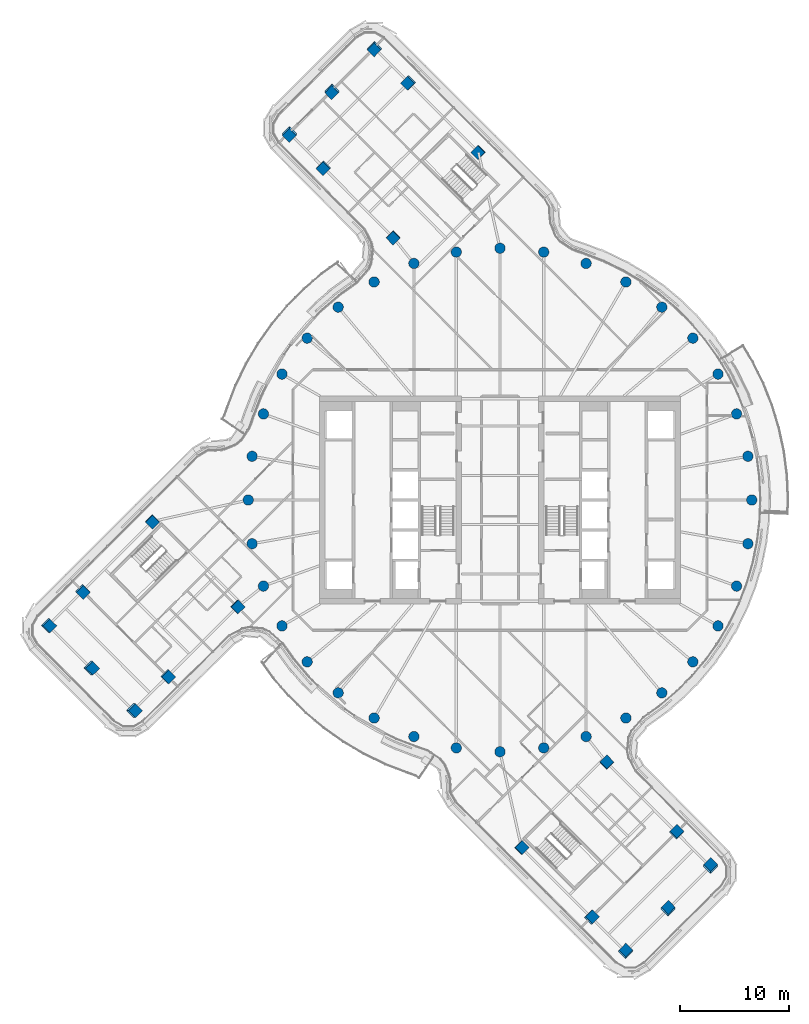
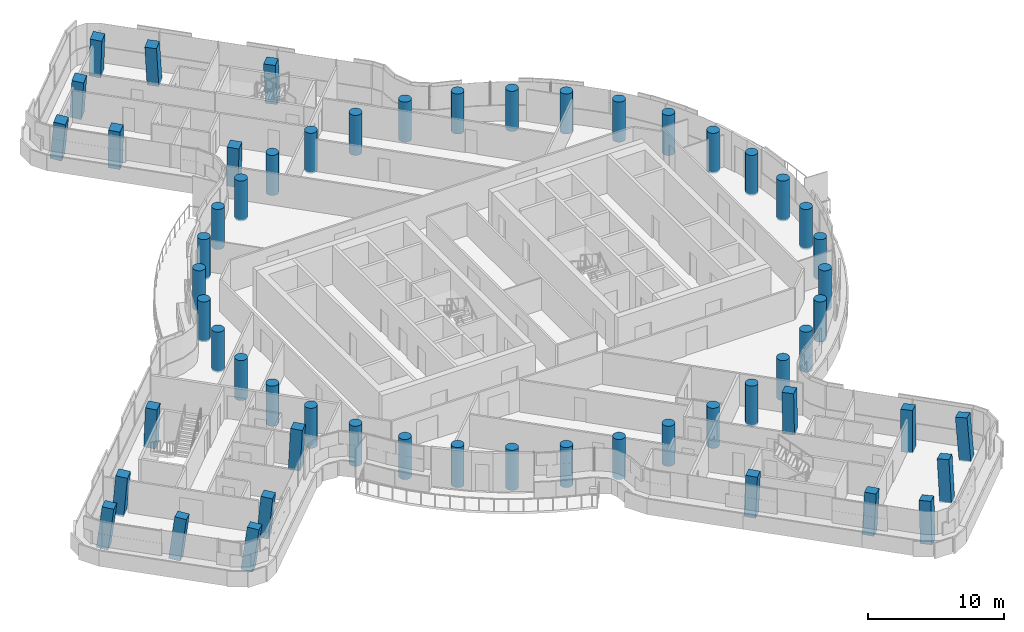
# One storey, part 1 of 31: 57 columns.
"""IFC4 building model written with IfcOpenShell, lengths in metres."""

from ifc_helpers import new_model, si_unit, direction, frame, origin, origin_2d, place, context, subcontext, project, spatial, rectangle, circle, extrude, material, material_profile, profile_set, type_object, element, save


model = new_model("IFC4")

# Units and contexts
model_context = context("Model", 3, precision=1e-05, world=origin(), true_north=direction((0.0, 1.0)))
body_context = subcontext(model_context, "Body", "Model", "MODEL_VIEW")
ifc_project = project(units=[si_unit("LENGTHUNIT", "METRE"), si_unit("AREAUNIT", "SQUARE_METRE"), si_unit("VOLUMEUNIT", "CUBIC_METRE"), si_unit("PLANEANGLEUNIT", "RADIAN"), si_unit("MASSUNIT", "GRAM", prefix="KILO")], contexts=[model_context])

# Site, building, storey
site_placement = place(None, origin())
site = spatial("IfcSite", under=ifc_project, at=site_placement, CompositionType="ELEMENT")
building_placement = place(site_placement, origin())
building = spatial("IfcBuilding", under=site, at=building_placement, Name="Tamarind Cross Interchange Tower", CompositionType="ELEMENT")
storey_placement = place(building_placement, frame((0.0, 0.0, 196.89990234375)))
storey = spatial("IfcBuildingStorey", under=building, at=storey_placement, Name="L49", CompositionType="ELEMENT", Elevation=196.89990234375)

# Columns
ifc_material = material(Name="Concrete C55", Category="concrete")
ifc_material_profile_1 = material_profile(ifc_material, rectangle(XDim=0.89990234375, YDim=0.89990234375, at=origin_2d()), Name="RC 900x900")
ifc_profile_set_1 = profile_set([ifc_material_profile_1], Name="Concrete C55")
column_type_1 = type_object("IfcColumnType", Name="Column RC 900x900 Concrete C55", PredefinedType="COLUMN", material=ifc_profile_set_1)
for number, where, z_axis, x_axis, name in (
    (1, (-16.111328125, 30.364501953125, -0.138427734375), (-0.041429721391, -0.081642909364, 0.995800187556), (0.70609506341, 0.702753082609, 0.086993484299), "Column L49-043"),
    (2, (-8.3232421875, 38.132568359375, -0.138427734375), (-0.080967132357, -0.042713879507, 0.995801108643), (0.705121777165, -0.70857432786, 0.026938843073), "Column L49-044"),
):
    element("IfcColumn", number, at=place(storey_placement, frame(where, z_axis=z_axis, x_axis=x_axis)), inside=storey, type_object=column_type_1, Name=name, PredefinedType="COLUMN", context=body_context, shape_type="SweptSolid", body=[
        extrude(rectangle(XDim=0.89990234375, YDim=0.89990234375, at=origin_2d()), origin(), (0.0, 0.0, 1.0), 3.6123046875),
    ])
for number, where, z_axis, x_axis, name in (
    (3, (-9.755615234375, 23.992431640625, -0.138671875), (-0.009624668379, -0.04947892899, 0.998728792688), (0.70765331906, 0.705324503584, 0.041762718624), "Column L49-045"),
    (4, (-1.967529296875, 31.760498046875, -0.138671875), (-0.049275718374, -0.010370268104, 0.998731375855), (0.705105731353, -0.708571401139, 0.027431316072), "Column L49-046"),
):
    element("IfcColumn", number, at=place(storey_placement, frame(where, z_axis=z_axis, x_axis=x_axis)), inside=storey, type_object=column_type_1, Name=name, PredefinedType="COLUMN", context=body_context, shape_type="SweptSolid", body=[
        extrude(rectangle(XDim=0.89990234375, YDim=0.89990234375, at=origin_2d()), origin(), (0.0, 0.0, 1.0), 3.60205078125),
    ])
column_1_placement = place(storey_placement, frame((-11.45263671875, 41.27001953125, -0.137939453125), z_axis=(-0.038213383849, -0.114640151548, 0.992671835476), x_axis=(0.705709602891, 0.700216403883, 0.108032143923)))
element("IfcColumn", 5, at=column_1_placement, inside=storey, type_object=column_type_1, Name="Column L49-047", PredefinedType="COLUMN", context=body_context, shape_type="SweptSolid", body=[
    extrude(rectangle(XDim=0.89990234375, YDim=0.89990234375, at=origin_2d()), origin(), (0.0, 0.0, 1.0), 3.62255859375),
])
column_2_placement = place(storey_placement, frame((-15.3466796875, 37.3857421875, -0.137939453125), z_axis=(-0.018499540391, -0.133802130322, 0.990835383364), x_axis=(0.706937625039, 0.69904359196, 0.107597634007)))
element("IfcColumn", 6, at=column_2_placement, inside=storey, type_object=column_type_1, Name="Column L49-048", PredefinedType="COLUMN", context=body_context, shape_type="SweptSolid", body=[
    extrude(rectangle(XDim=0.89990234375, YDim=0.89990234375, at=origin_2d()), origin(), (0.0, 0.0, 1.0), 3.629150390625),
])
column_3_placement = place(storey_placement, frame((-19.24072265625, 33.501708984375, -0.1376953125), z_axis=(0.001207811519, -0.15278815721, 0.988258225469), x_axis=(0.707837101998, 0.698212222874, 0.107080945386)))
element("IfcColumn", 7, at=column_3_placement, inside=storey, type_object=column_type_1, Name="Column L49-049", PredefinedType="COLUMN", context=body_context, shape_type="SweptSolid", body=[
    extrude(rectangle(XDim=0.89990234375, YDim=0.89990234375, at=origin_2d()), origin(), (0.0, 0.0, 1.0), 3.638427734375),
])
for number, where, z_axis, x_axis, name in (
    (8, (-30.364501953125, -16.111328125, -0.138427734375), (0.081642909364, -0.041429721391, 0.995800187556), (-0.702753082609, 0.70609506341, 0.086993484299), "Column L49-050"),
    (9, (-38.132568359375, -8.3232421875, -0.138427734375), (0.042713879507, -0.080967132357, 0.995801108643), (0.70857432786, 0.705121777165, 0.026938843073), "Column L49-051"),
):
    element("IfcColumn", number, at=place(storey_placement, frame(where, z_axis=z_axis, x_axis=x_axis)), inside=storey, type_object=column_type_1, Name=name, PredefinedType="COLUMN", context=body_context, shape_type="SweptSolid", body=[
        extrude(rectangle(XDim=0.89990234375, YDim=0.89990234375, at=origin_2d()), origin(), (0.0, 0.0, 1.0), 3.6123046875),
    ])
for number, where, z_axis, x_axis, name in (
    (10, (-23.992431640625, -9.755615234375, -0.138671875), (0.04947892899, -0.009624668379, 0.998728792688), (-0.705324503584, 0.70765331906, 0.041762718624), "Column L49-052"),
    (11, (-31.760498046875, -1.967529296875, -0.138671875), (0.010370268104, -0.049275718374, 0.998731375855), (0.708571401139, 0.705105731353, 0.027431316072), "Column L49-053"),
):
    element("IfcColumn", number, at=place(storey_placement, frame(where, z_axis=z_axis, x_axis=x_axis)), inside=storey, type_object=column_type_1, Name=name, PredefinedType="COLUMN", context=body_context, shape_type="SweptSolid", body=[
        extrude(rectangle(XDim=0.89990234375, YDim=0.89990234375, at=origin_2d()), origin(), (0.0, 0.0, 1.0), 3.60205078125),
    ])
column_4_placement = place(storey_placement, frame((-41.27001953125, -11.45263671875, -0.137939453125), z_axis=(0.114640151548, -0.038213383849, 0.992671835476), x_axis=(-0.700216403883, 0.705709602891, 0.108032143923)))
element("IfcColumn", 12, at=column_4_placement, inside=storey, type_object=column_type_1, Name="Column L49-054", PredefinedType="COLUMN", context=body_context, shape_type="SweptSolid", body=[
    extrude(rectangle(XDim=0.89990234375, YDim=0.89990234375, at=origin_2d()), origin(), (0.0, 0.0, 1.0), 3.62255859375),
])
column_5_placement = place(storey_placement, frame((-37.3857421875, -15.3466796875, -0.137939453125), z_axis=(0.133802130322, -0.018499540391, 0.990835383364), x_axis=(-0.69904359196, 0.706937625039, 0.107597634007)))
element("IfcColumn", 13, at=column_5_placement, inside=storey, type_object=column_type_1, Name="Column L49-055", PredefinedType="COLUMN", context=body_context, shape_type="SweptSolid", body=[
    extrude(rectangle(XDim=0.89990234375, YDim=0.89990234375, at=origin_2d()), origin(), (0.0, 0.0, 1.0), 3.629150390625),
])
column_6_placement = place(storey_placement, frame((-33.501708984375, -19.24072265625, -0.1376953125), z_axis=(0.15278815721, 0.001207811519, 0.988258225469), x_axis=(-0.698212222874, 0.707837101998, 0.107080945386)))
element("IfcColumn", 14, at=column_6_placement, inside=storey, type_object=column_type_1, Name="Column L49-056", PredefinedType="COLUMN", context=body_context, shape_type="SweptSolid", body=[
    extrude(rectangle(XDim=0.89990234375, YDim=0.89990234375, at=origin_2d()), origin(), (0.0, 0.0, 1.0), 3.638427734375),
])
for number, where, z_axis, x_axis, name in (
    (15, (16.111328125, -30.364501953125, -0.138427734375), (0.041429721391, 0.081642909364, 0.995800187556), (-0.70609506341, -0.702753082609, 0.086993484299), "Column L49-057"),
    (16, (8.3232421875, -38.132568359375, -0.138427734375), (0.080967132357, 0.042713879507, 0.995801108643), (-0.705121777165, 0.70857432786, 0.026938843073), "Column L49-058"),
):
    element("IfcColumn", number, at=place(storey_placement, frame(where, z_axis=z_axis, x_axis=x_axis)), inside=storey, type_object=column_type_1, Name=name, PredefinedType="COLUMN", context=body_context, shape_type="SweptSolid", body=[
        extrude(rectangle(XDim=0.89990234375, YDim=0.89990234375, at=origin_2d()), origin(), (0.0, 0.0, 1.0), 3.6123046875),
    ])
for number, where, z_axis, x_axis, name in (
    (17, (9.755615234375, -23.992431640625, -0.138671875), (0.009624668379, 0.04947892899, 0.998728792688), (-0.70765331906, -0.705324503584, 0.041762718624), "Column L49-059"),
    (18, (1.967529296875, -31.760498046875, -0.138671875), (0.049275718374, 0.010370268104, 0.998731375855), (-0.705105731353, 0.708571401139, 0.027431316072), "Column L49-060"),
):
    element("IfcColumn", number, at=place(storey_placement, frame(where, z_axis=z_axis, x_axis=x_axis)), inside=storey, type_object=column_type_1, Name=name, PredefinedType="COLUMN", context=body_context, shape_type="SweptSolid", body=[
        extrude(rectangle(XDim=0.89990234375, YDim=0.89990234375, at=origin_2d()), origin(), (0.0, 0.0, 1.0), 3.60205078125),
    ])
column_7_placement = place(storey_placement, frame((11.45263671875, -41.27001953125, -0.137939453125), z_axis=(0.038213383849, 0.114640151548, 0.992671835476), x_axis=(-0.705709602891, -0.700216403883, 0.108032143923)))
element("IfcColumn", 19, at=column_7_placement, inside=storey, type_object=column_type_1, Name="Column L49-061", PredefinedType="COLUMN", context=body_context, shape_type="SweptSolid", body=[
    extrude(rectangle(XDim=0.89990234375, YDim=0.89990234375, at=origin_2d()), origin(), (0.0, 0.0, 1.0), 3.62255859375),
])
column_8_placement = place(storey_placement, frame((15.3466796875, -37.3857421875, -0.137939453125), z_axis=(0.018499540391, 0.133802130322, 0.990835383364), x_axis=(-0.706937625039, -0.69904359196, 0.107597634007)))
element("IfcColumn", 20, at=column_8_placement, inside=storey, type_object=column_type_1, Name="Column L49-062", PredefinedType="COLUMN", context=body_context, shape_type="SweptSolid", body=[
    extrude(rectangle(XDim=0.89990234375, YDim=0.89990234375, at=origin_2d()), origin(), (0.0, 0.0, 1.0), 3.629150390625),
])
column_9_placement = place(storey_placement, frame((19.24072265625, -33.501708984375, -0.1376953125), z_axis=(-0.001207811519, 0.15278815721, 0.988258225469), x_axis=(-0.707837101998, -0.698212222874, 0.107080945386)))
element("IfcColumn", 21, at=column_9_placement, inside=storey, type_object=column_type_1, Name="Column L49-063", PredefinedType="COLUMN", context=body_context, shape_type="SweptSolid", body=[
    extrude(rectangle(XDim=0.89990234375, YDim=0.89990234375, at=origin_2d()), origin(), (0.0, 0.0, 1.0), 3.638427734375),
])
ifc_material_profile_2 = material_profile(ifc_material, circle(Radius=0.47509765625, at=origin_2d()), Name="RC D950")
ifc_profile_set_2 = profile_set([ifc_material_profile_2], Name="Concrete C55")
column_type_2 = type_object("IfcColumnType", Name="Column RC D950 Concrete C55", PredefinedType="COLUMN", material=ifc_profile_set_2)
for number, where, z_axis, x_axis, name in (
    (22, (23.0, 0.0, -0.139892578125), (0.0, 0.0, 1.0), (1.0, 0.0, 0.0), "Column L49-000"),
    (23, (22.650634765625, 3.993896484375, -0.139892578125), (0.0, 0.0, 1.0), (1.0, 0.0, 0.0), "Column L49-001"),
    (24, (21.613037109375, 7.866455078125, -0.139892578125), (0.0, 0.0, 1.0), (1.0, 0.0, 0.0), "Column L49-002"),
    (25, (19.918701171875, 11.5, -0.139892578125), (0.0, 0.0, 1.0), (1.0, 0.0, 0.0), "Column L49-003"),
    (26, (17.619140625, 14.7841796875, -0.139892578125), (0.0, 0.0, 1.0), (1.0, 0.0, 0.0), "Column L49-004"),
    (27, (14.7841796875, 17.619140625, -0.139892578125), (0.0, 0.0, 1.0), (1.0, 0.0, 0.0), "Column L49-005"),
    (28, (11.5, 19.918701171875, -0.139892578125), (0.0, 0.0, 1.0), (1.0, 0.0, 0.0), "Column L49-006"),
    (29, (7.866455078125, 21.613037109375, -0.139892578125), (0.0, 0.0, 1.0), (1.0, 0.0, 0.0), "Column L49-007"),
    (30, (3.993896484375, 22.650634765625, -0.139892578125), (0.0, 0.0, 1.0), (1.0, 0.0, 0.0), "Column L49-008"),
    (31, (0.0, 23.0, -0.139892578125), (0.0, 0.0, 1.0), (1.0, 0.0, 0.0), "Column L49-009"),
    (32, (-3.993896484375, 22.650634765625, -0.139892578125), (0.0, 0.0, 1.0), (1.0, 0.0, 0.0), "Column L49-010"),
    (33, (-7.866455078125, 21.613037109375, -0.139892578125), (0.0, 0.0, 1.0), (1.0, 0.0, 0.0), "Column L49-011"),
    (34, (-11.5, 19.918701171875, -0.139892578125), (0.0, 0.0, 1.0), (1.0, 0.0, 0.0), "Column L49-012"),
    (35, (-14.7841796875, 17.619140625, -0.139892578125), (0.0, 0.0, 1.0), (1.0, 0.0, 0.0), "Column L49-013"),
    (36, (-17.619140625, 14.7841796875, -0.139892578125), (0.0, 0.0, 1.0), (1.0, 0.0, 0.0), "Column L49-014"),
    (37, (-19.918701171875, 11.5, -0.139892578125), (0.0, 0.0, 1.0), (1.0, 0.0, 0.0), "Column L49-015"),
    (38, (-21.613037109375, 7.866455078125, -0.139892578125), (0.0, 0.0, 1.0), (1.0, 0.0, 0.0), "Column L49-016"),
    (39, (-22.650634765625, 3.993896484375, -0.139892578125), (0.0, 0.0, 1.0), (1.0, 0.0, 0.0), "Column L49-017"),
    (40, (-23.0, 0.0, -0.139892578125), (0.0, 0.0, 1.0), (1.0, 0.0, 0.0), "Column L49-018"),
    (41, (-22.650634765625, -3.993896484375, -0.139892578125), (0.0, 0.0, 1.0), (1.0, 0.0, 0.0), "Column L49-019"),
    (42, (-21.613037109375, -7.866455078125, -0.139892578125), (0.0, 0.0, 1.0), (1.0, 0.0, 0.0), "Column L49-020"),
    (43, (-19.918701171875, -11.5, -0.139892578125), (0.0, 0.0, 1.0), (1.0, 0.0, 0.0), "Column L49-021"),
    (44, (-17.619140625, -14.7841796875, -0.139892578125), (0.0, 0.0, 1.0), (1.0, 0.0, 0.0), "Column L49-022"),
    (45, (-14.7841796875, -17.619140625, -0.139892578125), (0.0, 0.0, 1.0), (1.0, 0.0, 0.0), "Column L49-023"),
    (46, (-11.5, -19.918701171875, -0.139892578125), (0.0, 0.0, 1.0), (1.0, 0.0, 0.0), "Column L49-024"),
    (47, (-7.866455078125, -21.613037109375, -0.139892578125), (0.0, 0.0, 1.0), (1.0, 0.0, 0.0), "Column L49-025"),
    (48, (-3.993896484375, -22.650634765625, -0.139892578125), (0.0, 0.0, 1.0), (1.0, 0.0, 0.0), "Column L49-026"),
    (49, (0.0, -23.0, -0.139892578125), (0.0, 0.0, 1.0), (1.0, 0.0, 0.0), "Column L49-027"),
    (50, (3.993896484375, -22.650634765625, -0.139892578125), (0.0, 0.0, 1.0), (1.0, 0.0, 0.0), "Column L49-028"),
    (51, (7.866455078125, -21.613037109375, -0.139892578125), (0.0, 0.0, 1.0), (1.0, 0.0, 0.0), "Column L49-029"),
    (52, (11.5, -19.918701171875, -0.139892578125), (0.0, 0.0, 1.0), (1.0, 0.0, 0.0), "Column L49-030"),
    (53, (14.7841796875, -17.619140625, -0.139892578125), (0.0, 0.0, 1.0), (1.0, 0.0, 0.0), "Column L49-031"),
    (54, (17.619140625, -14.7841796875, -0.139892578125), (0.0, 0.0, 1.0), (1.0, 0.0, 0.0), "Column L49-032"),
    (55, (19.918701171875, -11.5, -0.139892578125), (0.0, 0.0, 1.0), (1.0, 0.0, 0.0), "Column L49-033"),
    (56, (21.613037109375, -7.866455078125, -0.139892578125), (0.0, 0.0, 1.0), (1.0, 0.0, 0.0), "Column L49-034"),
    (57, (22.650634765625, -3.993896484375, -0.139892578125), (0.0, 0.0, 1.0), (1.0, 0.0, 0.0), "Column L49-035"),
):
    element("IfcColumn", number, at=place(storey_placement, frame(where, z_axis=z_axis, x_axis=x_axis)), inside=storey, type_object=column_type_2, Name=name, PredefinedType="COLUMN", context=body_context, shape_type="SweptSolid", body=[
        extrude(circle(Radius=0.47509765625, at=origin_2d()), origin(), (0.0, 0.0, 1.0), 3.60009765625),
    ])

save(model, "model.ifc")
